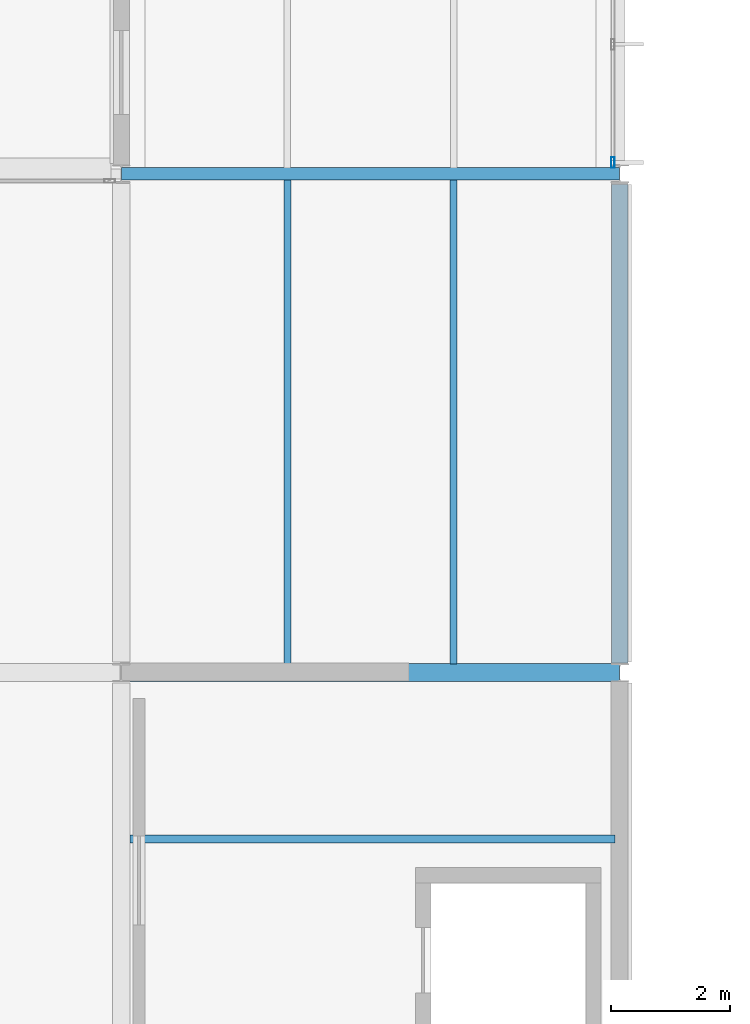
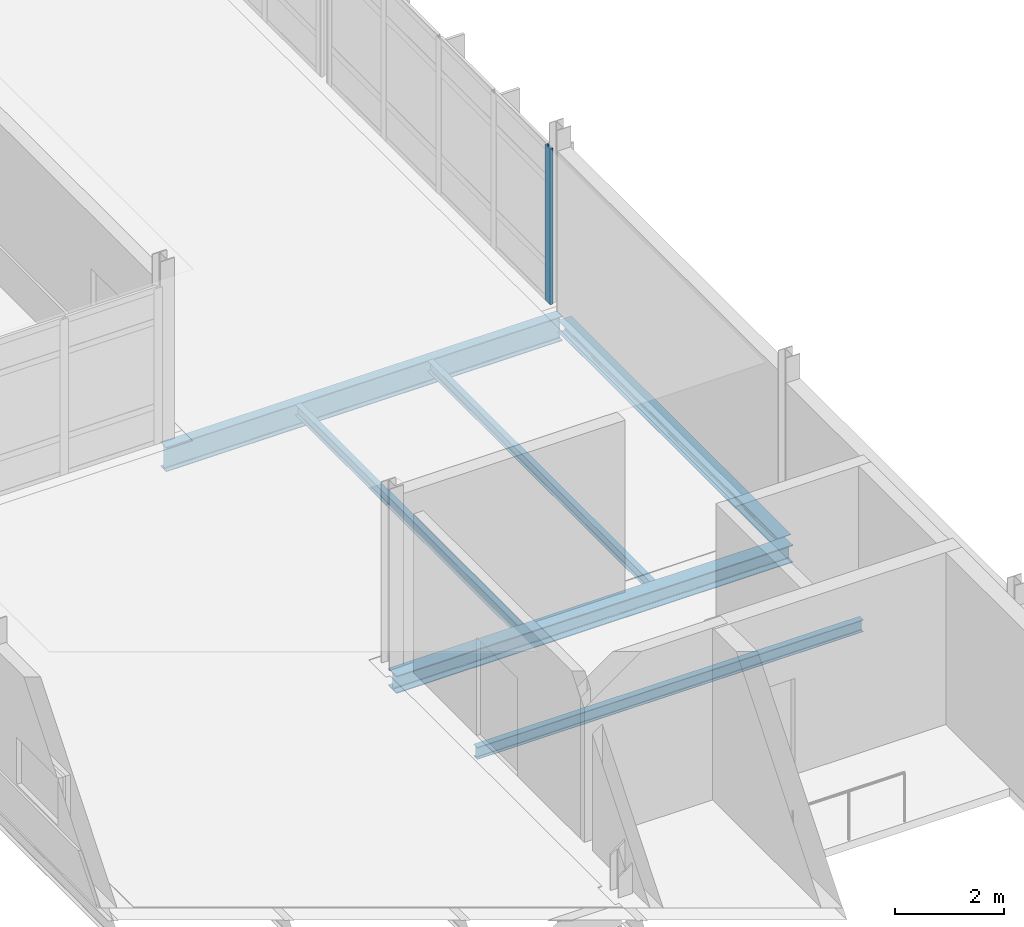
# One storey, part 33 of 66: 6 beams, 1 member, 1 element without a shape of its own.
"""IFC4 building model written with IfcOpenShell, lengths in metres."""

from ifc_helpers import new_model, si_unit, direction, frame, origin, origin_2d, place, context, subcontext, project, spatial, hollow_rectangle, i_section, extrude, material, material_profile, profile_set, type_object, element, aggregate, save


model = new_model("IFC4")

# Units and contexts
model_context = context("Model", 3, precision=1e-05, world=origin(), true_north=direction((0.0, 1.0)))
body_context = subcontext(model_context, "Body", "Model", "MODEL_VIEW")
ifc_project = project(units=[si_unit("LENGTHUNIT", "METRE"), si_unit("AREAUNIT", "SQUARE_METRE"), si_unit("VOLUMEUNIT", "CUBIC_METRE"), si_unit("PLANEANGLEUNIT", "RADIAN"), si_unit("MASSUNIT", "GRAM", prefix="KILO")], contexts=[model_context])

# Site, building, storey
site_placement = place(None, origin())
site = spatial("IfcSite", under=ifc_project, at=site_placement, CompositionType="ELEMENT")
building_placement = place(site_placement, origin())
building = spatial("IfcBuilding", under=site, at=building_placement, Name="Mersafa Astral City Hall", CompositionType="ELEMENT")
storey_placement = place(building_placement, frame((0.0, 0.0, 22.050048828125)))
storey = spatial("IfcBuildingStorey", under=building, at=storey_placement, Name="L05", CompositionType="ELEMENT", Elevation=22.050048828125)

# Curtain wall, member
ifc_material_1 = material(Name="Anodised bronze aluminium framing", Category="aluminium")
curtain_wall_type = type_object("IfcCurtainWallType", Name="ENV-CW-5", PredefinedType="USERDEFINED", material=ifc_material_1)
curtain_wall_placement = place(storey_placement, origin())
curtain_wall = element("IfcCurtainWall", 1, at=curtain_wall_placement, inside=storey, type_object=curtain_wall_type, Name="L05 Unitised solar curtain wall 226", ObjectType="UNITISED CURTAIN WALL", PredefinedType="USERDEFINED")
ifc_material_profile_1 = material_profile(ifc_material_1, hollow_rectangle(XDim=0.06005859375, YDim=0.179931640625, WallThickness=0.00390625, at=origin_2d()), Name="RHS 60x180x4")
ifc_profile_set_1 = profile_set([ifc_material_profile_1], Name="Anodised bronze aluminium framing")
member_type = type_object("IfcMemberType", Name="ENV-CW-MUL-1", PredefinedType="MULLION", material=ifc_profile_set_1)
member_placement = place(storey_placement, frame((176.280029296875, 75.7919921875, -0.001953125), z_axis=(0.0, 0.0, 1.0), x_axis=(-1.0, 0.0, 0.0)))
member = element("IfcMember", 2, at=member_placement, type_object=member_type, Name="CW-5 mullion 1", PredefinedType="MULLION", context=body_context, shape_type="SweptSolid", body=[
    extrude(hollow_rectangle(XDim=0.06005859375, YDim=0.179931640625, WallThickness=0.00390625, at=origin_2d()), origin(), (0.0, 0.0, 1.0), 3.489013671875),
])
aggregate(curtain_wall, [member])

# Beams
ifc_material_2 = material(Name="Steel S355", Category="steel")
ifc_material_profile_2 = material_profile(ifc_material_2, i_section(OverallWidth=0.300048828125, OverallDepth=0.389892578125, WebThickness=0.010986328125, FlangeThickness=0.01904296875, FilletRadius=0.027099609375, at=origin_2d()), Name="HEA 400")
ifc_profile_set_2 = profile_set([ifc_material_profile_2], Name="Steel S355")
beam_type_1 = type_object("IfcBeamType", Name="STR-BM-HEA400", PredefinedType="BEAM", material=ifc_profile_set_2)
beam_1_placement = place(storey_placement, frame((168.0029296875, 67.199951171875, -0.375), z_axis=(1.0, 0.0, 0.0), x_axis=(0.0, 1.0, 0.0)))
element("IfcBeam", 3, at=beam_1_placement, inside=storey, type_object=beam_type_1, Name="L05 Primary girder X 20-8", PredefinedType="BEAM", context=body_context, shape_type="SweptSolid", body=[
    extrude(i_section(OverallWidth=0.300048828125, OverallDepth=0.389892578125, WebThickness=0.010986328125, FlangeThickness=0.01904296875, FilletRadius=0.027099609375, at=origin_2d()), origin(), (0.0, 0.0, 1.0), 8.39404296875),
])
ifc_material_profile_3 = material_profile(ifc_material_2, i_section(OverallWidth=0.2099609375, OverallDepth=0.550048828125, WebThickness=0.010986328125, FlangeThickness=0.01708984375, FilletRadius=0.02392578125, at=origin_2d()), Name="IPE 550")
ifc_profile_set_3 = profile_set([ifc_material_profile_3], Name="Steel S355")
beam_type_2 = type_object("IfcBeamType", Name="STR-BM-IPE550", PredefinedType="BEAM", material=ifc_profile_set_3)
beam_2_placement = place(storey_placement, frame((168.0029296875, 75.60009765625, -0.455078125), z_axis=(1.0, 0.0, 0.0), x_axis=(0.0, 1.0, 0.0)))
element("IfcBeam", 4, at=beam_2_placement, inside=storey, type_object=beam_type_2, Name="L05 Primary girder X 20-9", PredefinedType="BEAM", context=body_context, shape_type="SweptSolid", body=[
    extrude(i_section(OverallWidth=0.2099609375, OverallDepth=0.550048828125, WebThickness=0.010986328125, FlangeThickness=0.01708984375, FilletRadius=0.02392578125, at=origin_2d()), origin(), (0.0, 0.0, 1.0), 8.39404296875),
])
ifc_material_profile_4 = material_profile(ifc_material_2, i_section(OverallWidth=0.1201171875, OverallDepth=0.239990234375, WebThickness=0.006103515625, FlangeThickness=0.009765625, FilletRadius=0.014892578125, at=origin_2d()), Name="IPE 240")
ifc_profile_set_4 = profile_set([ifc_material_profile_4], Name="Steel S355")
beam_type_3 = type_object("IfcBeamType", Name="STR-BM-JOIST-IPE240", PredefinedType="JOIST", material=ifc_profile_set_4)
for number, where, z_axis, x_axis, name in (
    (5, (170.800048828125, 67.344970703125, -0.300048828125), (0.0, 1.0, 0.0), (-1.0, 0.0, 0.0), "L05 Composite secondary floor joist 830"),
    (6, (173.60009765625, 67.344970703125, -0.300048828125), (0.0, 1.0, 0.0), (-1.0, 0.0, 0.0), "L05 Composite secondary floor joist 831"),
):
    element("IfcBeam", number, at=place(storey_placement, frame(where, z_axis=z_axis, x_axis=x_axis)), inside=storey, type_object=beam_type_3, Name=name, PredefinedType="JOIST", context=body_context, shape_type="SweptSolid", body=[
        extrude(i_section(OverallWidth=0.1201171875, OverallDepth=0.239990234375, WebThickness=0.006103515625, FlangeThickness=0.009765625, FilletRadius=0.014892578125, at=origin_2d()), origin(), (0.0, 0.0, 1.0), 8.155029296875),
    ])
ifc_material_profile_5 = material_profile(ifc_material_2, i_section(OverallWidth=0.135009765625, OverallDepth=0.27001953125, WebThickness=0.006591796875, FlangeThickness=0.01025390625, FilletRadius=0.014892578125, at=origin_2d()), Name="IPE 270")
ifc_profile_set_5 = profile_set([ifc_material_profile_5], Name="Steel S355")
beam_type_4 = type_object("IfcBeamType", Name="STR-BM-JOIST-IPE270", PredefinedType="JOIST", material=ifc_profile_set_5)
beam_3_placement = place(storey_placement, frame((168.14501953125, 64.39990234375, -0.31494140625), z_axis=(1.0, 0.0, 0.0), x_axis=(0.0, 1.0, 0.0)))
element("IfcBeam", 7, at=beam_3_placement, inside=storey, type_object=beam_type_4, Name="L05 Composite secondary floor joist 829", PredefinedType="JOIST", context=body_context, shape_type="SweptSolid", body=[
    extrude(i_section(OverallWidth=0.135009765625, OverallDepth=0.27001953125, WebThickness=0.006591796875, FlangeThickness=0.01025390625, FilletRadius=0.014892578125, at=origin_2d()), origin(), (0.0, 0.0, 1.0), 8.175048828125),
])
ifc_material_profile_6 = material_profile(ifc_material_2, i_section(OverallWidth=0.280029296875, OverallDepth=0.27001953125, WebThickness=0.008056640625, FlangeThickness=0.012939453125, FilletRadius=0.02392578125, at=origin_2d()), Name="HEA 280")
ifc_profile_set_6 = profile_set([ifc_material_profile_6], Name="Steel S355")
beam_type_5 = type_object("IfcBeamType", Name="STR-BM-SPANDREL-HEA280", PredefinedType="SPANDREL", material=ifc_profile_set_6)
beam_4_placement = place(storey_placement, frame((176.39990234375, 67.364990234375, -0.31494140625), z_axis=(0.0, 1.0, 0.0), x_axis=(-1.0, 0.0, 0.0)))
element("IfcBeam", 8, at=beam_4_placement, inside=storey, type_object=beam_type_5, Name="L05 Primary girder Y 21-8", PredefinedType="SPANDREL", context=body_context, shape_type="SweptSolid", body=[
    extrude(i_section(OverallWidth=0.280029296875, OverallDepth=0.27001953125, WebThickness=0.008056640625, FlangeThickness=0.012939453125, FilletRadius=0.02392578125, at=origin_2d()), origin(), (0.0, 0.0, 1.0), 8.06005859375),
])

save(model, "model.ifc")
